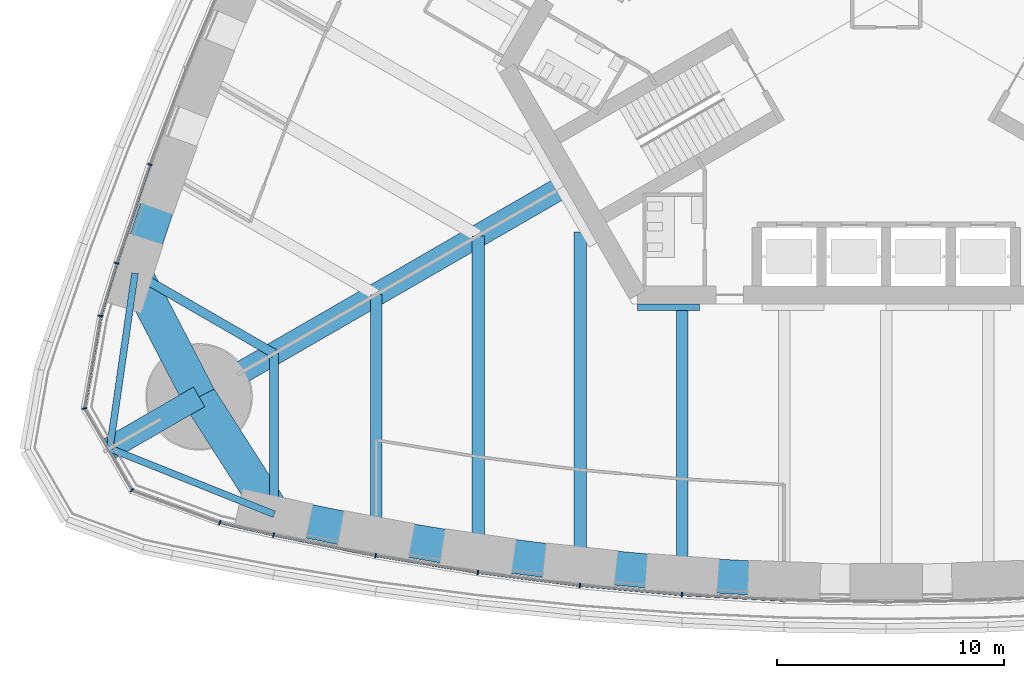
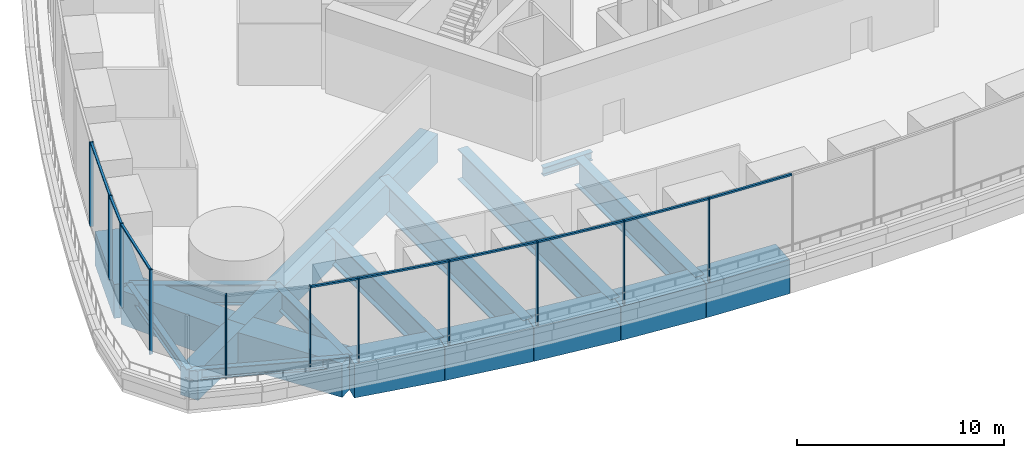
# One storey, part 2 of 33: 20 members, 19 beams, 3 elements without a shape of their own.
"""IFC4 building model written with IfcOpenShell, lengths in metres."""

from ifc_helpers import new_model, si_unit, direction, frame, origin, origin_2d, place, context, subcontext, project, spatial, rectangle, i_section, extrude, material, material_profile, profile_set, type_object, element, aggregate, save


model = new_model("IFC4")

# Units and contexts
model_context = context("Model", 3, precision=1e-05, world=origin(), true_north=direction((0.0, 1.0)))
body_context = subcontext(model_context, "Body", "Model", "MODEL_VIEW")
ifc_project = project(units=[si_unit("LENGTHUNIT", "METRE"), si_unit("AREAUNIT", "SQUARE_METRE"), si_unit("VOLUMEUNIT", "CUBIC_METRE"), si_unit("PLANEANGLEUNIT", "RADIAN"), si_unit("MASSUNIT", "GRAM", prefix="KILO")], contexts=[model_context])

# Site, building, storey
site_placement = place(None, origin())
site = spatial("IfcSite", under=ifc_project, at=site_placement, CompositionType="ELEMENT")
building_placement = place(site_placement, origin())
building = spatial("IfcBuilding", under=site, at=building_placement, Name="Trefoil Bronze Tower", CompositionType="ELEMENT")
storey_placement = place(building_placement, frame((0.0, 0.0, 98.10009765625)))
storey = spatial("IfcBuildingStorey", under=building, at=storey_placement, Name="L22", CompositionType="ELEMENT", Elevation=98.10009765625)

# Curtain wall, members
ifc_material_1 = material(Name="Tinted solar-control glass", Category="glass")
curtain_wall_type_1 = type_object("IfcCurtainWallType", Name="Bronze rounded corner curtain wall", PredefinedType="USERDEFINED", material=ifc_material_1)
curtain_wall_1_placement = place(storey_placement, origin())
curtain_wall_1 = element("IfcCurtainWall", 1, at=curtain_wall_1_placement, inside=storey, type_object=curtain_wall_type_1, Name="CW-B L22 K3", ObjectType="CURTAIN WALL", PredefinedType="USERDEFINED")
ifc_material_2 = material(Name="Bronze-finish aluminium", Category="aluminium")
ifc_material_profile_1 = material_profile(ifc_material_2, rectangle(XDim=0.199951171875, YDim=0.06005859375, at=origin_2d()), Name="CW-B mullion")
ifc_profile_set_1 = profile_set([ifc_material_profile_1], Name="Bronze-finish aluminium")
member_type_1 = type_object("IfcMemberType", Name="Bronze rounded corner curtain wall mullion", PredefinedType="MULLION", material=ifc_profile_set_1)
member_1_placement = place(storey_placement, frame((-34.65234375, -13.932373046875, 0.0), z_axis=(0.0, 0.0, 1.0), x_axis=(0.984807753012, -0.173648177667, 0.0)))
member_1 = element("IfcMember", 2, at=member_1_placement, type_object=member_type_1, Name="CW-B L22 K3 mullion 1", PredefinedType="MULLION", context=body_context, shape_type="SweptSolid", body=[
    extrude(rectangle(XDim=0.199951171875, YDim=0.06005859375, at=origin_2d()), origin(), (0.0, 0.0, 1.0), 4.97998046875),
])
member_2_placement = place(storey_placement, frame((-35.364990234375, -18.009033203125, 0.0), z_axis=(0.0, 0.0, 1.0), x_axis=(0.984807753012, 0.173648177667, 0.0)))
member_2 = element("IfcMember", 3, at=member_2_placement, type_object=member_type_1, Name="CW-B L22 K3 mullion 2", PredefinedType="MULLION", context=body_context, shape_type="SweptSolid", body=[
    extrude(rectangle(XDim=0.199951171875, YDim=0.06005859375, at=origin_2d()), origin(), (0.0, 0.0, 1.0), 4.97998046875),
])
member_3_placement = place(storey_placement, frame((-33.27880859375, -21.62255859375, 0.0), z_axis=(0.0, 0.0, 1.0), x_axis=(0.642787609687, 0.766044443119, 0.0)))
member_3 = element("IfcMember", 4, at=member_3_placement, type_object=member_type_1, Name="CW-B L22 K3 mullion 3", PredefinedType="MULLION", context=body_context, shape_type="SweptSolid", body=[
    extrude(rectangle(XDim=0.199951171875, YDim=0.06005859375, at=origin_2d()), origin(), (0.0, 0.0, 1.0), 4.97998046875),
])
member_4_placement = place(storey_placement, frame((-29.391845703125, -23.043701171875, 0.0), z_axis=(0.0, 0.0, 1.0), x_axis=(0.342020143326, 0.939692620786, 0.0)))
member_4 = element("IfcMember", 5, at=member_4_placement, type_object=member_type_1, Name="CW-B L22 K3 mullion 4", PredefinedType="MULLION", context=body_context, shape_type="SweptSolid", body=[
    extrude(rectangle(XDim=0.199951171875, YDim=0.06005859375, at=origin_2d()), origin(), (0.0, 0.0, 1.0), 4.97998046875),
])
ifc_material_3 = material(Name="Bronze-finish aluminium", Category="aluminium")
ifc_material_profile_2 = material_profile(ifc_material_3, rectangle(XDim=0.1201171875, YDim=0.10009765625, at=origin_2d()), Name="CW-B transom")
ifc_profile_set_2 = profile_set([ifc_material_profile_2], Name="Bronze-finish aluminium")
member_type_2 = type_object("IfcMemberType", Name="Bronze rounded corner curtain wall transom", PredefinedType="USERDEFINED", material=ifc_profile_set_2)
member_5_placement = place(storey_placement, frame((-34.657470703125, -13.9619140625, 4.929931640625), z_axis=(-0.173682016639, -0.984801785689, 0.0), x_axis=(0.984801785689, -0.173682016639, 0.0)))
member_5 = element("IfcMember", 6, at=member_5_placement, type_object=member_type_2, Name="CW-B L22 K3 transom 1", ObjectType="TRANSOM", PredefinedType="USERDEFINED", context=body_context, shape_type="SweptSolid", body=[
    extrude(rectangle(XDim=0.1201171875, YDim=0.10009765625, at=origin_2d()), origin(), (0.0, 0.0, 1.0), 4.044189453125),
])
aggregate(curtain_wall_1, [member_1, member_2, member_3, member_4, member_5])

ifc_material_4 = material(Name="Tinted solar-control glass", Category="glass")
curtain_wall_type_2 = type_object("IfcCurtainWallType", Name="Bronze sky lobby curtain wall", PredefinedType="USERDEFINED", material=ifc_material_4)
curtain_wall_2_placement = place(storey_placement, origin())
curtain_wall_2 = element("IfcCurtainWall", 7, at=curtain_wall_2_placement, inside=storey, type_object=curtain_wall_type_2, Name="CW-D L22 F1", ObjectType="CURTAIN WALL", PredefinedType="USERDEFINED")
ifc_material_5 = material(Name="Bronze-finish aluminium", Category="aluminium")
ifc_material_profile_3 = material_profile(ifc_material_5, rectangle(XDim=0.199951171875, YDim=0.06005859375, at=origin_2d()), Name="CW-D mullion")
ifc_profile_set_3 = profile_set([ifc_material_profile_3], Name="Bronze-finish aluminium")
member_type_3 = type_object("IfcMemberType", Name="Bronze sky lobby curtain wall mullion", PredefinedType="MULLION", material=ifc_profile_set_3)
member_6_placement = place(storey_placement, frame((-27.021240234375, -23.593505859375, 0.0), z_axis=(0.0, 0.0, 1.0), x_axis=(0.21197042503, 0.977276081214, 0.0)))
member_6 = element("IfcMember", 8, at=member_6_placement, type_object=member_type_3, Name="CW-D L22 F1 mullion 2", PredefinedType="MULLION", context=body_context, shape_type="SweptSolid", body=[
    extrude(rectangle(XDim=0.199951171875, YDim=0.06005859375, at=origin_2d()), origin(), (0.0, 0.0, 1.0), 4.97998046875),
])
member_7_placement = place(storey_placement, frame((-22.51806640625, -24.50439453125, 0.0), z_axis=(0.0, 0.0, 1.0), x_axis=(0.180240853954, 0.98362250613, 0.0)))
member_7 = element("IfcMember", 9, at=member_7_placement, type_object=member_type_3, Name="CW-D L22 F1 mullion 3", PredefinedType="MULLION", context=body_context, shape_type="SweptSolid", body=[
    extrude(rectangle(XDim=0.199951171875, YDim=0.06005859375, at=origin_2d()), origin(), (0.0, 0.0, 1.0), 4.97998046875),
])
member_8_placement = place(storey_placement, frame((-18.014404296875, -25.24462890625, 0.0), z_axis=(0.0, 0.0, 1.0), x_axis=(0.144192103798, 0.989549714366, 0.0)))
member_8 = element("IfcMember", 10, at=member_8_placement, type_object=member_type_3, Name="CW-D L22 F1 mullion 4", PredefinedType="MULLION", context=body_context, shape_type="SweptSolid", body=[
    extrude(rectangle(XDim=0.199951171875, YDim=0.06005859375, at=origin_2d()), origin(), (0.0, 0.0, 1.0), 4.97998046875),
])
member_9_placement = place(storey_placement, frame((-13.5107421875, -25.817138671875, 0.0), z_axis=(0.0, 0.0, 1.0), x_axis=(0.108143747013, 0.994135267447, 0.0)))
member_9 = element("IfcMember", 11, at=member_9_placement, type_object=member_type_3, Name="CW-D L22 F1 mullion 5", PredefinedType="MULLION", context=body_context, shape_type="SweptSolid", body=[
    extrude(rectangle(XDim=0.199951171875, YDim=0.06005859375, at=origin_2d()), origin(), (0.0, 0.0, 1.0), 4.97998046875),
])
member_10_placement = place(storey_placement, frame((-9.00732421875, -26.224609375, 0.0), z_axis=(0.0, 0.0, 1.0), x_axis=(0.072095676284, 0.997397720802, 0.0)))
member_10 = element("IfcMember", 12, at=member_10_placement, type_object=member_type_3, Name="CW-D L22 F1 mullion 6", PredefinedType="MULLION", context=body_context, shape_type="SweptSolid", body=[
    extrude(rectangle(XDim=0.199951171875, YDim=0.06005859375, at=origin_2d()), origin(), (0.0, 0.0, 1.0), 4.97998046875),
])

curtain_wall_3_placement = place(storey_placement, origin())
curtain_wall_3 = element("IfcCurtainWall", 13, at=curtain_wall_3_placement, inside=storey, type_object=curtain_wall_type_2, Name="CW-D L22 F3 run 3", ObjectType="CURTAIN WALL", PredefinedType="USERDEFINED")
member_11_placement = place(storey_placement, frame((-32.480224609375, -7.2490234375, 0.0), z_axis=(0.0, 0.0, 1.0), x_axis=(0.94196250502, -0.335718094742, 0.0)))
member_11 = element("IfcMember", 14, at=member_11_placement, type_object=member_type_3, Name="CW-D L22 F3 run 3 mullion 5", PredefinedType="MULLION", context=body_context, shape_type="SweptSolid", body=[
    extrude(rectangle(XDim=0.199951171875, YDim=0.06005859375, at=origin_2d()), origin(), (0.0, 0.0, 1.0), 4.97998046875),
])
member_12_placement = place(storey_placement, frame((-33.943115234375, -11.604248046875, 0.0), z_axis=(0.0, 0.0, 1.0), x_axis=(0.952331125357, -0.30506626768, 0.0)))
member_12 = element("IfcMember", 15, at=member_12_placement, type_object=member_type_3, Name="CW-D L22 F3 run 3 mullion 6", PredefinedType="MULLION", context=body_context, shape_type="SweptSolid", body=[
    extrude(rectangle(XDim=0.199951171875, YDim=0.06005859375, at=origin_2d()), origin(), (0.0, 0.0, 1.0), 4.97998046875),
])

# Member
ifc_material_6 = material(Name="Bronze-finish aluminium", Category="aluminium")
ifc_material_profile_4 = material_profile(ifc_material_6, rectangle(XDim=0.1201171875, YDim=0.10009765625, at=origin_2d()), Name="CW-D transom")
ifc_profile_set_4 = profile_set([ifc_material_profile_4], Name="Bronze-finish aluminium")
member_type_4 = type_object("IfcMemberType", Name="Bronze sky lobby curtain wall transom", PredefinedType="USERDEFINED", material=ifc_profile_set_4)
member_13_placement = place(storey_placement, frame((-29.35107421875, -23.053955078125, 4.929931640625), z_axis=(0.97421831133, -0.22560736218, 0.0), x_axis=(0.22560736218, 0.97421831133, 0.0)))
member_13 = element("IfcMember", 16, at=member_13_placement, type_object=member_type_4, Name="CW-D L22 F1 transom 1", ObjectType="TRANSOM", PredefinedType="USERDEFINED", context=body_context, shape_type="SweptSolid", body=[
    extrude(rectangle(XDim=0.1201171875, YDim=0.10009765625, at=origin_2d()), origin(), (0.0, 0.0, 1.0), 2.360107421875),
])

member_14_placement = place(storey_placement, frame((-26.990478515625, -23.599853515625, 4.929931640625), z_axis=(0.980155635994, -0.198229486275, 0.0), x_axis=(0.198229486275, 0.980155635994, 0.0)))
member_14 = element("IfcMember", 17, at=member_14_placement, type_object=member_type_4, Name="CW-D L22 F1 transom 2", ObjectType="TRANSOM", PredefinedType="USERDEFINED", context=body_context, shape_type="SweptSolid", body=[
    extrude(rectangle(XDim=0.1201171875, YDim=0.10009765625, at=origin_2d()), origin(), (0.0, 0.0, 1.0), 4.531005859375),
])

member_15_placement = place(storey_placement, frame((-22.486572265625, -24.509521484375, 4.929931640625), z_axis=(0.986765262524, -0.162155224019, 0.0), x_axis=(0.162155224019, 0.986765262524, 0.0)))
member_15 = element("IfcMember", 18, at=member_15_placement, type_object=member_type_4, Name="CW-D L22 F1 transom 3", ObjectType="TRANSOM", PredefinedType="USERDEFINED", context=body_context, shape_type="SweptSolid", body=[
    extrude(rectangle(XDim=0.1201171875, YDim=0.10009765625, at=origin_2d()), origin(), (0.0, 0.0, 1.0), 4.500244140625),
])

member_16_placement = place(storey_placement, frame((-17.98291015625, -25.24853515625, 4.929931640625), z_axis=(0.992010451139, -0.126155716598, 0.0), x_axis=(0.126155716598, 0.992010451139, 0.0)))
member_16 = element("IfcMember", 19, at=member_16_placement, type_object=member_type_4, Name="CW-D L22 F1 transom 4", ObjectType="TRANSOM", PredefinedType="USERDEFINED", context=body_context, shape_type="SweptSolid", body=[
    extrude(rectangle(XDim=0.1201171875, YDim=0.10009765625, at=origin_2d()), origin(), (0.0, 0.0, 1.0), 4.47607421875),
])

member_17_placement = place(storey_placement, frame((-13.479248046875, -25.820068359375, 4.929931640625), z_axis=(0.99592992842, -0.090130891917, 0.0), x_axis=(0.090130891917, 0.99592992842, 0.0)))
member_17 = element("IfcMember", 20, at=member_17_placement, type_object=member_type_4, Name="CW-D L22 F1 transom 5", ObjectType="TRANSOM", PredefinedType="USERDEFINED", context=body_context, shape_type="SweptSolid", body=[
    extrude(rectangle(XDim=0.1201171875, YDim=0.10009765625, at=origin_2d()), origin(), (0.0, 0.0, 1.0), 4.45849609375),
])

member_18_placement = place(storey_placement, frame((-8.975341796875, -26.226318359375, 4.929931640625), z_axis=(0.998536428831, -0.054083271879, 0.0), x_axis=(0.054083271879, 0.998536428831, 0.0)))
member_18 = element("IfcMember", 21, at=member_18_placement, type_object=member_type_4, Name="CW-D L22 F1 transom 6", ObjectType="TRANSOM", PredefinedType="USERDEFINED", context=body_context, shape_type="SweptSolid", body=[
    extrude(rectangle(XDim=0.1201171875, YDim=0.10009765625, at=origin_2d()), origin(), (0.0, 0.0, 1.0), 4.446533203125),
])

aggregate(curtain_wall_2, [member_6, member_7, member_8, member_9, member_10, member_13, member_14, member_15, member_16, member_17, member_18])

member_19_placement = place(storey_placement, frame((-32.490478515625, -7.279296875, 4.929931640625), z_axis=(-0.318393027309, -0.947958796658, 0.0), x_axis=(0.947958796658, -0.318393027309, 0.0)))
member_19 = element("IfcMember", 22, at=member_19_placement, type_object=member_type_4, Name="CW-D L22 F3 run 3 transom 5", ObjectType="TRANSOM", PredefinedType="USERDEFINED", context=body_context, shape_type="SweptSolid", body=[
    extrude(rectangle(XDim=0.1201171875, YDim=0.10009765625, at=origin_2d()), origin(), (0.0, 0.0, 1.0), 4.531005859375),
])

member_20_placement = place(storey_placement, frame((-33.952392578125, -11.63427734375, 4.929931640625), z_axis=(-0.291700781819, -0.956509620383, 0.0), x_axis=(0.956509620383, -0.291700781819, 0.0)))
member_20 = element("IfcMember", 23, at=member_20_placement, type_object=member_type_4, Name="CW-D L22 F3 run 3 transom 6", ObjectType="TRANSOM", PredefinedType="USERDEFINED", context=body_context, shape_type="SweptSolid", body=[
    extrude(rectangle(XDim=0.1201171875, YDim=0.10009765625, at=origin_2d()), origin(), (0.0, 0.0, 1.0), 2.360107421875),
])

aggregate(curtain_wall_3, [member_11, member_12, member_19, member_20])

# Beams
ifc_material_7 = material(Name="Steel C355", Category="steel")
ifc_material_profile_5 = material_profile(ifc_material_7, i_section(OverallWidth=0.300048828125, OverallDepth=0.5, WebThickness=0.014404296875, FlangeThickness=0.028076171875, FilletRadius=0.027099609375, at=origin_2d()), Name="HEB 500")
ifc_profile_set_5 = profile_set([ifc_material_profile_5], Name="Steel C355")
beam_type_1 = type_object("IfcBeamType", Name="Core seat beam HEB 500", PredefinedType="BEAM", material=ifc_profile_set_5)
beam_1_placement = place(storey_placement, frame((-10.9697265625, -13.550048828125, -0.4501953125), z_axis=(1.0, 0.0, 0.0), x_axis=(0.0, 1.0, 0.0)))
element("IfcBeam", 24, at=beam_1_placement, inside=storey, type_object=beam_type_1, Name="Core seat beam F1/-2 L22", PredefinedType="BEAM", context=body_context, shape_type="SweptSolid", body=[
    extrude(i_section(OverallWidth=0.300048828125, OverallDepth=0.5, WebThickness=0.014404296875, FlangeThickness=0.028076171875, FilletRadius=0.027099609375, at=origin_2d()), origin(), (0.0, 0.0, 1.0), 2.742431640625),
])
ifc_material_8 = material(Name="Concrete B80", Category="concrete")
ifc_material_profile_6 = material_profile(ifc_material_8, rectangle(XDim=1.0, YDim=1.699951171875, at=origin_2d()), Name="RC 1000x1700")
ifc_profile_set_6 = profile_set([ifc_material_profile_6], Name="Concrete B80")
beam_type_2 = type_object("IfcBeamType", Name="Corner cantilever RC 1000x1700", PredefinedType="BEAM", material=ifc_profile_set_6)
beam_2_placement = place(storey_placement, frame((-30.310791015625, -17.5, -1.050048828125), z_axis=(-0.866031878637, -0.499988785058, 0.0), x_axis=(0.499988785058, -0.866031878637, 0.0)))
element("IfcBeam", 25, at=beam_2_placement, inside=storey, type_object=beam_type_2, Name="Corner cantilever K3 L22", PredefinedType="BEAM", context=body_context, shape_type="SweptSolid", body=[
    extrude(rectangle(XDim=1.0, YDim=1.699951171875, at=origin_2d()), origin(), (0.0, 0.0, 1.0), 4.54931640625),
])
ifc_material_9 = material(Name="Steel C355", Category="steel")
ifc_material_profile_7 = material_profile(ifc_material_9, i_section(OverallWidth=0.300048828125, OverallDepth=0.60009765625, WebThickness=0.015380859375, FlangeThickness=0.030029296875, FilletRadius=0.027099609375, at=origin_2d()), Name="HEB 600")
ifc_profile_set_7 = profile_set([ifc_material_profile_7], Name="Steel C355")
beam_type_3 = type_object("IfcBeamType", Name="Corner edge beam HEB 600", PredefinedType="BEAM", material=ifc_profile_set_7)
for number, where, z_axis, x_axis, name in (
    (26, (-27.0, -22.67724609375, -0.5), (-0.928375332495, 0.371643972122, 0.0), (-0.371643972122, -0.928375332495, 0.0), "Corner edge beam F1B L22"),
    (27, (-33.13916015625, -12.044189453125, -0.5), (-0.142327214588, -0.989819662357, 0.0), (0.989819662357, -0.142327214588, 0.0), "Corner edge beam F3A L22"),
):
    element("IfcBeam", number, at=place(storey_placement, frame(where, z_axis=z_axis, x_axis=x_axis)), inside=storey, type_object=beam_type_3, Name=name, PredefinedType="BEAM", context=body_context, shape_type="SweptSolid", body=[
        extrude(i_section(OverallWidth=0.300048828125, OverallDepth=0.60009765625, WebThickness=0.015380859375, FlangeThickness=0.030029296875, FilletRadius=0.027099609375, at=origin_2d()), origin(), (0.0, 0.0, 1.0), 7.81005859375),
    ])
ifc_material_10 = material(Name="Concrete B80", Category="concrete")
ifc_material_profile_8 = material_profile(ifc_material_10, rectangle(XDim=1.0, YDim=1.699951171875, at=origin_2d()), Name="RC 1000x1700")
ifc_profile_set_8 = profile_set([ifc_material_profile_8], Name="Concrete B80")
beam_type_4 = type_object("IfcBeamType", Name="Corner girder RC 1000x1700", PredefinedType="BEAM", material=ifc_profile_set_8)
beam_3_placement = place(storey_placement, frame((-14.202880859375, -8.199951171875, -1.050048828125), z_axis=(-0.866022084834, -0.500005748546, 0.0), x_axis=(0.500005748546, -0.866022084834, 0.0)))
element("IfcBeam", 28, at=beam_3_placement, inside=storey, type_object=beam_type_4, Name="Corner girder K3 L22", PredefinedType="BEAM", context=body_context, shape_type="SweptSolid", body=[
    extrude(rectangle(XDim=1.0, YDim=1.699951171875, at=origin_2d()), origin(), (0.0, 0.0, 1.0), 18.599853515625),
])
ifc_material_11 = material(Name="Concrete B80", Category="concrete")
ifc_material_profile_9 = material_profile(ifc_material_11, rectangle(XDim=1.5, YDim=2.0, at=origin_2d()), Name="RC 1500x2000")
ifc_profile_set_9 = profile_set([ifc_material_profile_9], Name="Concrete B80")
beam_type_5 = type_object("IfcBeamType", Name="End spandrel beam RC 1500x2000", PredefinedType="SPANDREL", material=ifc_profile_set_9)
for number, where, z_axis, x_axis, name in (
    (29, (-30.310791015625, -17.5, -1.2001953125), (0.53874814953, -0.84246687257, 0.0), (0.84246687257, 0.53874814953, 0.0), "Spandrel F1.1 L22"),
    (30, (-33.13916015625, -12.044189453125, -1.2001953125), (0.460244107083, -0.887792409235, 0.0), (0.887792409235, 0.460244107083, 0.0), "Spandrel F3.14 L22"),
):
    element("IfcBeam", number, at=place(storey_placement, frame(where, z_axis=z_axis, x_axis=x_axis)), inside=storey, type_object=beam_type_5, Name=name, PredefinedType="SPANDREL", context=body_context, shape_type="SweptSolid", body=[
        extrude(rectangle(XDim=1.5, YDim=2.0, at=origin_2d()), origin(), (0.0, 0.0, 1.0), 6.145263671875),
    ])
ifc_material_12 = material(Name="Steel C355", Category="steel")
ifc_material_profile_10 = material_profile(ifc_material_12, i_section(OverallWidth=0.39990234375, OverallDepth=1.199951171875, WebThickness=0.02001953125, FlangeThickness=0.0400390625, FilletRadius=0.010009765625, at=origin_2d()), Name="WPG 1200")
ifc_profile_set_10 = profile_set([ifc_material_profile_10], Name="Steel C355")
beam_type_6 = type_object("IfcBeamType", Name="Floor beam WPG 1200", PredefinedType="BEAM", material=ifc_profile_set_10)
for number, where, z_axis, x_axis, name in (
    (31, (-27.0, -22.67724609375, -0.800048828125), (0.0, 1.0, 0.0), (-1.0, 0.0, 0.0), "Floor beam F1/-6 L22"),
    (32, (-33.13916015625, -12.044189453125, -0.800048828125), (0.866041060244, -0.499972881236, 0.0), (0.499972881236, 0.866041060244, 0.0), "Floor beam F3/+6 L22"),
):
    element("IfcBeam", number, at=place(storey_placement, frame(where, z_axis=z_axis, x_axis=x_axis)), inside=storey, type_object=beam_type_6, Name=name, PredefinedType="BEAM", context=body_context, shape_type="SweptSolid", body=[
        extrude(i_section(OverallWidth=0.39990234375, OverallDepth=1.199951171875, WebThickness=0.02001953125, FlangeThickness=0.0400390625, FilletRadius=0.010009765625, at=origin_2d()), origin(), (0.0, 0.0, 1.0), 7.0888671875),
    ])
ifc_material_13 = material(Name="Steel C355", Category="steel")
ifc_material_profile_11 = material_profile(ifc_material_13, i_section(OverallWidth=0.5, OverallDepth=1.60009765625, WebThickness=0.02587890625, FlangeThickness=0.050048828125, FilletRadius=0.011962890625, at=origin_2d()), Name="WPG 1600")
ifc_profile_set_11 = profile_set([ifc_material_profile_11], Name="Steel C355")
beam_type_7 = type_object("IfcBeamType", Name="Floor beam WPG 1600", PredefinedType="BEAM", material=ifc_profile_set_11)
beam_4_placement = place(storey_placement, frame((-22.5, -23.592529296875, -1.0), z_axis=(0.0, 1.0, 0.0), x_axis=(-1.0, 0.0, 0.0)))
element("IfcBeam", 33, at=beam_4_placement, inside=storey, type_object=beam_type_7, Name="Floor beam F1/-5 L22", PredefinedType="BEAM", context=body_context, shape_type="SweptSolid", body=[
    extrude(i_section(OverallWidth=0.5, OverallDepth=1.60009765625, WebThickness=0.02587890625, FlangeThickness=0.050048828125, FilletRadius=0.011962890625, at=origin_2d()), origin(), (0.0, 0.0, 1.0), 10.60205078125),
])
beam_5_placement = place(storey_placement, frame((-9.0, -25.32275390625, -1.0), z_axis=(0.0, 1.0, 0.0), x_axis=(-1.0, 0.0, 0.0)))
element("IfcBeam", 34, at=beam_5_placement, inside=storey, type_object=beam_type_7, Name="Floor beam F1/-2 L22", PredefinedType="BEAM", context=body_context, shape_type="SweptSolid", body=[
    extrude(i_section(OverallWidth=0.5, OverallDepth=1.60009765625, WebThickness=0.02587890625, FlangeThickness=0.050048828125, FilletRadius=0.011962890625, at=origin_2d()), origin(), (0.0, 0.0, 1.0), 11.622802734375),
])
ifc_material_14 = material(Name="Steel C355", Category="steel")
ifc_material_profile_12 = material_profile(ifc_material_14, i_section(OverallWidth=0.550048828125, OverallDepth=1.800048828125, WebThickness=0.029052734375, FlangeThickness=0.054931640625, FilletRadius=0.013916015625, at=origin_2d()), Name="WPG 1800")
ifc_profile_set_12 = profile_set([ifc_material_profile_12], Name="Steel C355")
beam_type_8 = type_object("IfcBeamType", Name="Floor beam WPG 1800", PredefinedType="BEAM", material=ifc_profile_set_12)
beam_6_placement = place(storey_placement, frame((-18.0, -24.337158203125, -1.10009765625), z_axis=(0.0, 1.0, 0.0), x_axis=(-1.0, 0.0, 0.0)))
element("IfcBeam", 35, at=beam_6_placement, inside=storey, type_object=beam_type_8, Name="Floor beam F1/-4 L22", PredefinedType="BEAM", context=body_context, shape_type="SweptSolid", body=[
    extrude(i_section(OverallWidth=0.550048828125, OverallDepth=1.800048828125, WebThickness=0.029052734375, FlangeThickness=0.054931640625, FilletRadius=0.013916015625, at=origin_2d()), origin(), (0.0, 0.0, 1.0), 13.94482421875),
])
beam_7_placement = place(storey_placement, frame((-13.5, -24.9130859375, -1.10009765625), z_axis=(0.0, 1.0, 0.0), x_axis=(-1.0, 0.0, 0.0)))
element("IfcBeam", 36, at=beam_7_placement, inside=storey, type_object=beam_type_8, Name="Floor beam F1/-3 L22", PredefinedType="BEAM", context=body_context, shape_type="SweptSolid", body=[
    extrude(i_section(OverallWidth=0.550048828125, OverallDepth=1.800048828125, WebThickness=0.029052734375, FlangeThickness=0.054931640625, FilletRadius=0.013916015625, at=origin_2d()), origin(), (0.0, 0.0, 1.0), 14.69580078125),
])
ifc_material_15 = material(Name="Concrete B80", Category="concrete")
ifc_material_profile_13 = material_profile(ifc_material_15, rectangle(XDim=1.5, YDim=2.0, at=origin_2d()), Name="RC 1500x2000")
ifc_profile_set_13 = profile_set([ifc_material_profile_13], Name="Concrete B80")
beam_type_9 = type_object("IfcBeamType", Name="Spandrel beam RC 1500x2000", PredefinedType="SPANDREL", material=ifc_profile_set_13)
beam_8_placement = place(storey_placement, frame((-27.0, -22.67724609375, -1.2001953125), z_axis=(0.979935430296, -0.199315208777, 0.0), x_axis=(0.199315208777, 0.979935430296, 0.0)))
element("IfcBeam", 37, at=beam_8_placement, inside=storey, type_object=beam_type_9, Name="Spandrel F1.2 L22", PredefinedType="SPANDREL", context=body_context, shape_type="SweptSolid", body=[
    extrude(rectangle(XDim=1.5, YDim=2.0, at=origin_2d()), origin(), (0.0, 0.0, 1.0), 4.592041015625),
])
beam_9_placement = place(storey_placement, frame((-22.5, -23.592529296875, -1.2001953125), z_axis=(0.986584214684, -0.163253138823, 0.0), x_axis=(0.163253138823, 0.986584214684, 0.0)))
element("IfcBeam", 38, at=beam_9_placement, inside=storey, type_object=beam_type_9, Name="Spandrel F1.3 L22", PredefinedType="SPANDREL", context=body_context, shape_type="SweptSolid", body=[
    extrude(rectangle(XDim=1.5, YDim=2.0, at=origin_2d()), origin(), (0.0, 0.0, 1.0), 4.561279296875),
])
beam_10_placement = place(storey_placement, frame((-18.0, -24.337158203125, -1.2001953125), z_axis=(0.991909314257, -0.126948463126, 0.0), x_axis=(0.126948463126, 0.991909314257, 0.0)))
element("IfcBeam", 39, at=beam_10_placement, inside=storey, type_object=beam_type_9, Name="Spandrel F1.4 L22", PredefinedType="SPANDREL", context=body_context, shape_type="SweptSolid", body=[
    extrude(rectangle(XDim=1.5, YDim=2.0, at=origin_2d()), origin(), (0.0, 0.0, 1.0), 4.53662109375),
])
beam_11_placement = place(storey_placement, frame((-13.5, -24.9130859375, -1.2001953125), z_axis=(0.995881683815, -0.090662405894, 0.0), x_axis=(0.090662405894, 0.995881683815, 0.0)))
element("IfcBeam", 40, at=beam_11_placement, inside=storey, type_object=beam_type_9, Name="Spandrel F1.5 L22", PredefinedType="SPANDREL", context=body_context, shape_type="SweptSolid", body=[
    extrude(rectangle(XDim=1.5, YDim=2.0, at=origin_2d()), origin(), (0.0, 0.0, 1.0), 4.5185546875),
])
beam_12_placement = place(storey_placement, frame((-9.0, -25.32275390625, -1.2001953125), z_axis=(0.998516832602, -0.054443870267, 0.0), x_axis=(0.054443870267, 0.998516832602, 0.0)))
element("IfcBeam", 41, at=beam_12_placement, inside=storey, type_object=beam_type_9, Name="Spandrel F1.6 L22", PredefinedType="SPANDREL", context=body_context, shape_type="SweptSolid", body=[
    extrude(rectangle(XDim=1.5, YDim=2.0, at=origin_2d()), origin(), (0.0, 0.0, 1.0), 4.506591796875),
])
beam_13_placement = place(storey_placement, frame((-31.681884765625, -7.689208984375, -1.2001953125), z_axis=(-0.31732802068, -0.948315837309, 0.0), x_axis=(0.948315837309, -0.31732802068, 0.0)))
element("IfcBeam", 42, at=beam_13_placement, inside=storey, type_object=beam_type_9, Name="Spandrel F3.13 L22", PredefinedType="SPANDREL", context=body_context, shape_type="SweptSolid", body=[
    extrude(rectangle(XDim=1.5, YDim=2.0, at=origin_2d()), origin(), (0.0, 0.0, 1.0), 4.59228515625),
])

save(model, "model.ifc")
